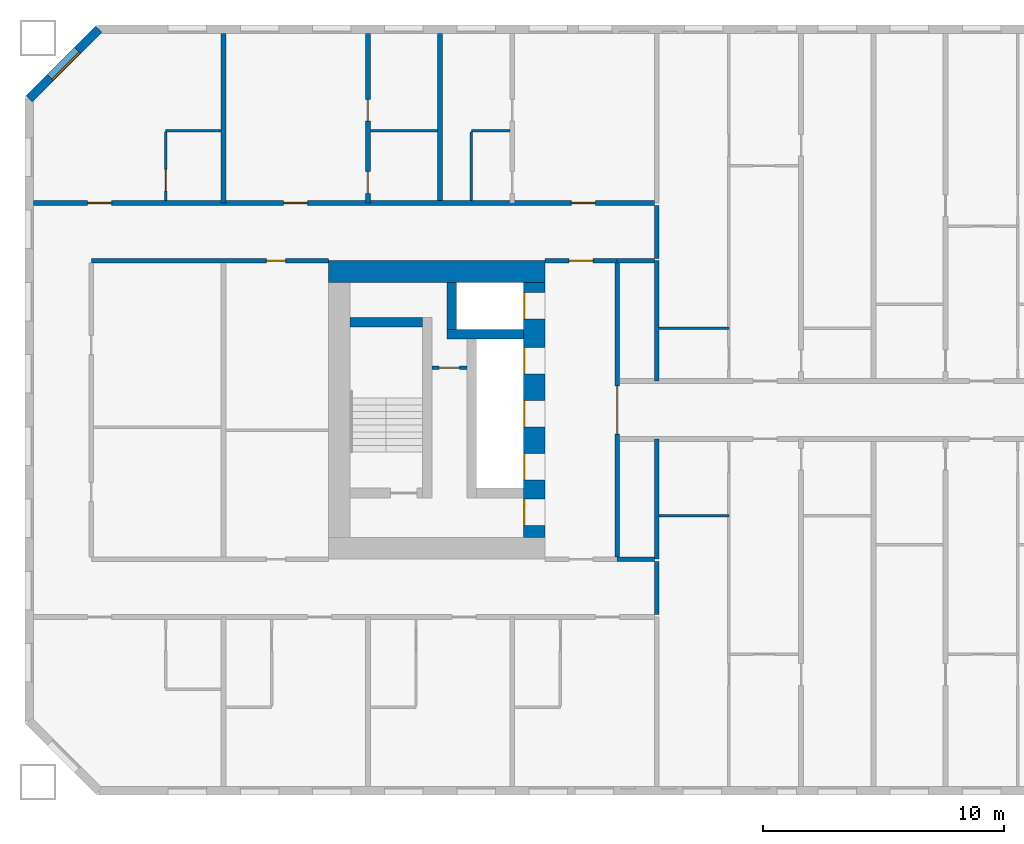
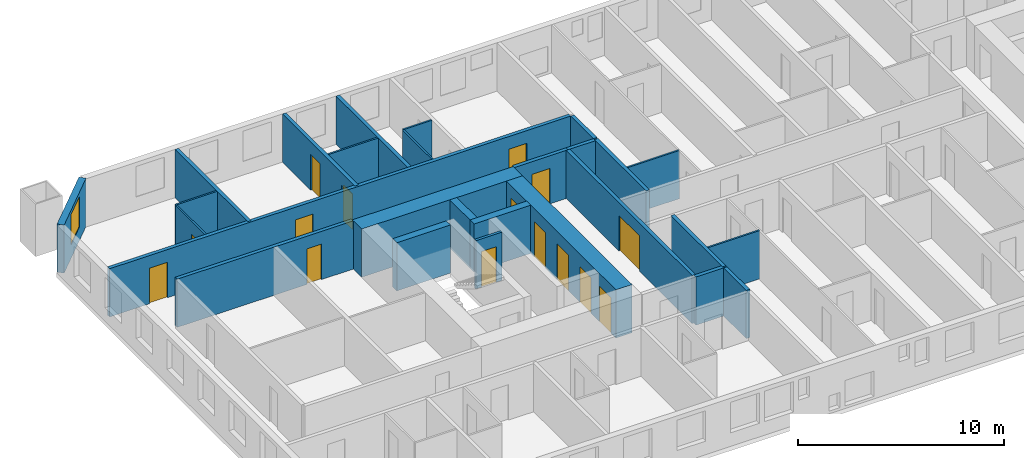
# One storey, part 4 of 16: 27 walls, 15 doors, 1 window, 16 openings.
"""IFC4 building model written with IfcOpenShell, lengths in metres."""

from ifc_helpers import new_model, si_unit, direction, frame, frame_2d, origin, place, context, subcontext, project, spatial, rectangle, extrude, material, layer, layer_set, type_object, element, fill, save


model = new_model("IFC4")

# Units and contexts
model_context = context("Model", 3, precision=1e-05, world=origin(), true_north=direction((0.0, 1.0)))
body_context = subcontext(model_context, "Body", "Model", "MODEL_VIEW")
ifc_project = project(units=[si_unit("LENGTHUNIT", "METRE"), si_unit("AREAUNIT", "SQUARE_METRE"), si_unit("VOLUMEUNIT", "CUBIC_METRE"), si_unit("PLANEANGLEUNIT", "RADIAN"), si_unit("MASSUNIT", "GRAM", prefix="KILO")], contexts=[model_context])

# Site, building, storey
site_placement = place(None, origin())
site = spatial("IfcSite", under=ifc_project, at=site_placement, CompositionType="ELEMENT")
building_placement = place(site_placement, origin())
building = spatial("IfcBuilding", under=site, at=building_placement, Name="Tuart Gate Housing", CompositionType="ELEMENT")
storey_placement = place(building_placement, frame((0.0, 0.0, 35.0)))
storey = spatial("IfcBuildingStorey", under=building, at=storey_placement, Name="L09", CompositionType="ELEMENT", Elevation=35.0)

# Wall, opening, window
ifc_material_1 = material(Name="Brick", Category="masonry")
ifc_layer_1 = layer(ifc_material_1, 0.360107421875)
ifc_layer_set_1 = layer_set([ifc_layer_1], Name="Brick pier and spandrel wall 360")
wall_type_1 = type_object("IfcWallType", Name="Brick pier and spandrel wall 360", PredefinedType="STANDARD", material=ifc_layer_set_1)
wall_1_placement = place(storey_placement, frame((22.82470703125, 85.820068359375, 0.0), z_axis=(0.0, 0.0, 1.0), x_axis=(-0.707106781187, -0.707106781187, 0.0)))
wall_1 = element("IfcWall", 1, at=wall_1_placement, inside=storey, type_object=wall_type_1, Name="External wall A-NW L09", PredefinedType="STANDARD", context=body_context, shape_type="SweptSolid", body=[
    extrude(rectangle(XDim=4.09375, YDim=0.360107421875, at=frame_2d((2.046875, 0.0))), origin(), (0.0, 0.0, 1.0), 2.85009765625),
])
opening_1_placement = place(wall_1_placement, frame((1.2470703125, 0.0, 0.800048828125)))
opening_1 = element("IfcOpeningElement", 2, at=opening_1_placement, cuts=wall_1, Name="Opening W1", PredefinedType="OPENING", context=body_context, shape_type="SweptSolid", body=[
    extrude(rectangle(XDim=1.60009765625, YDim=1.800048828125, at=frame_2d((0.800048828125, 0.89990234375))), frame((0.0, 0.18994140625, 0.0), z_axis=(0.0, -1.0, 0.0), x_axis=(1.0, 0.0, 0.0)), (0.0, 0.0, 1.0), 0.380126953125),
])
ifc_material_2 = material(Name="Aluminium frame with clear glass", Category="aluminium")
window_type = type_object("IfcWindowType", Name="Punched window 1600 x 1800", PartitioningType="SINGLE_PANEL", PredefinedType="WINDOW", material=ifc_material_2)
window_placement = place(opening_1_placement, origin())
window = element("IfcWindow", 3, at=window_placement, inside=storey, type_object=window_type, Name="Window W1", OverallHeight=1.800048828125, OverallWidth=1.60009765625, PartitioningType="SINGLE_PANEL", PredefinedType="WINDOW", context=body_context, shape_type="SweptSolid", body=[
    extrude(rectangle(XDim=1.60009765625, YDim=1.800048828125, at=frame_2d((0.800048828125, 0.89990234375))), frame((0.0, 0.150146484375, 0.0), z_axis=(0.0, -1.0, 0.0), x_axis=(1.0, 0.0, 0.0)), (0.0, 0.0, 1.0), 0.06005859375),
])
fill(opening_1, window)

# Wall, opening, door
ifc_material_3 = material(Name="Plasterboard partition")
ifc_layer_2 = layer(ifc_material_3, 0.14990234375)
ifc_layer_set_2 = layer_set([ifc_layer_2], Name="Core partition 150")
wall_type_2 = type_object("IfcWallType", Name="Core partition 150", PredefinedType="PARTITIONING", material=ifc_layer_set_2)
wall_2_placement = place(storey_placement, frame((38.110107421875, 71.75, 0.0), z_axis=(0.0, 0.0, 1.0), x_axis=(-1.0, 0.0, 0.0)))
wall_2 = element("IfcWall", 4, at=wall_2_placement, inside=storey, type_object=wall_type_2, Name="Core partition AK.3", PredefinedType="PARTITIONING", context=body_context, shape_type="SweptSolid", body=[
    extrude(rectangle(XDim=1.4501953125, YDim=0.14990234375, at=frame_2d((0.72509765625, 0.0))), origin(), (0.0, 0.0, 1.0), 2.85009765625),
])
opening_2_placement = place(wall_2_placement, frame((0.300048828125, 0.0, 0.0)))
opening_2 = element("IfcOpeningElement", 5, at=opening_2_placement, cuts=wall_2, Name="Opening D493", PredefinedType="OPENING", context=body_context, shape_type="SweptSolid", body=[
    extrude(rectangle(XDim=0.85009765625, YDim=2.10009765625, at=frame_2d((0.425048828125, 1.050048828125))), frame((0.0, 0.0849609375, 0.0), z_axis=(0.0, -1.0, 0.0), x_axis=(1.0, 0.0, 0.0)), (0.0, 0.0, 1.0), 0.169921875),
])
ifc_material_4 = material(Name="Steel fire door", Category="steel")
door_type_1 = type_object("IfcDoorType", Name="Riser door 850 x 2100 RH", OperationType="SINGLE_SWING_RIGHT", PredefinedType="DOOR", material=ifc_material_4)
door_1_placement = place(opening_2_placement, frame((0.85009765625, 0.0, 0.0), z_axis=(0.0, 0.0, 1.0), x_axis=(-1.0, 0.0, 0.0)))
door_1 = element("IfcDoor", 6, at=door_1_placement, inside=storey, type_object=door_type_1, Name="Service room door AK.E1", OperationType="SINGLE_SWING_RIGHT", OverallHeight=2.10009765625, OverallWidth=0.85009765625, PredefinedType="DOOR", context=body_context, shape_type="SweptSolid", body=[
    extrude(rectangle(XDim=0.85009765625, YDim=2.10009765625, at=frame_2d((0.425048828125, 1.050048828125))), frame((0.0, 0.025146484375, 0.0), z_axis=(0.0, -1.0, 0.0), x_axis=(1.0, 0.0, 0.0)), (0.0, 0.0, 1.0), 0.050048828125),
])
fill(opening_2, door_1)

# Walls
ifc_material_5 = material(Name="Concrete C60", Category="concrete")
ifc_layer_3 = layer(ifc_material_5, 0.39990234375)
ifc_layer_set_3 = layer_set([ifc_layer_3], Name="Core wall 400 C60")
wall_type_3 = type_object("IfcWallType", Name="Core wall 400 C60", PredefinedType="SHEAR", material=ifc_layer_set_3)
wall_3_placement = place(storey_placement, frame((36.260009765625, 73.64990234375, 0.0), z_axis=(0.0, 0.0, 1.0), x_axis=(-1.0, 0.0, 0.0)))
element("IfcWall", 7, at=wall_3_placement, inside=storey, type_object=wall_type_3, Name="Core wall AK.1", PredefinedType="SHEAR", context=body_context, shape_type="SweptSolid", body=[
    extrude(rectangle(XDim=3.0, YDim=0.39990234375, at=frame_2d((1.5, 0.0))), origin(), (0.0, 0.0, 1.0), 2.85009765625),
])
wall_4_placement = place(storey_placement, frame((40.4599609375, 73.14990234375, 0.0), z_axis=(0.0, 0.0, 1.0), x_axis=(-1.0, 0.0, 0.0)))
element("IfcWall", 8, at=wall_4_placement, inside=storey, type_object=wall_type_3, Name="Core wall AK.2", PredefinedType="SHEAR", context=body_context, shape_type="SweptSolid", body=[
    extrude(rectangle(XDim=3.169921875, YDim=0.39990234375, at=frame_2d((1.5849609375, 0.0))), origin(), (0.0, 0.0, 1.0), 2.85009765625),
])
wall_5_placement = place(storey_placement, frame((37.489990234375, 75.300048828125, 0.0), z_axis=(0.0, 0.0, 1.0), x_axis=(0.0, -1.0, 0.0)))
element("IfcWall", 9, at=wall_5_placement, inside=storey, type_object=wall_type_3, Name="Core wall AK.7", PredefinedType="SHEAR", context=body_context, shape_type="SweptSolid", body=[
    extrude(rectangle(XDim=1.949951171875, YDim=0.39990234375, at=frame_2d((0.97509765625, 0.0))), origin(), (0.0, 0.0, 1.0), 2.85009765625),
])

# Wall, openings, doors
ifc_material_6 = material(Name="Concrete C60", Category="concrete")
ifc_layer_4 = layer(ifc_material_6, 0.89990234375)
ifc_layer_set_4 = layer_set([ifc_layer_4], Name="Core wall 900 C60")
wall_type_4 = type_object("IfcWallType", Name="Core wall 900 C60", PredefinedType="SHEAR", material=ifc_layer_set_4)
wall_6_placement = place(storey_placement, frame((40.909912109375, 75.300048828125, 0.0), z_axis=(0.0, 0.0, 1.0), x_axis=(0.0, -1.0, 0.0)))
wall_6 = element("IfcWall", 10, at=wall_6_placement, inside=storey, type_object=wall_type_4, Name="Core wall AK front", PredefinedType="SHEAR", context=body_context, shape_type="SweptSolid", body=[
    extrude(rectangle(XDim=10.60009765625, YDim=0.89990234375, at=frame_2d((5.300048828125, 0.0))), origin(), (0.0, 0.0, 1.0), 2.85009765625),
])
opening_3_placement = place(wall_6_placement, frame((0.425048828125, 0.0, 0.0)))
opening_3 = element("IfcOpeningElement", 11, at=opening_3_placement, cuts=wall_6, Name="Opening LD-FA2", PredefinedType="OPENING", context=body_context, shape_type="SweptSolid", body=[
    extrude(rectangle(XDim=1.10009765625, YDim=2.10009765625, at=frame_2d((0.550048828125, 1.050048828125))), frame((0.0, 0.4599609375, 0.0), z_axis=(0.0, -1.0, 0.0), x_axis=(1.0, 0.0, 0.0)), (0.0, 0.0, 1.0), 0.919921875),
])
opening_4_placement = place(wall_6_placement, frame((2.699951171875, 0.0, 0.0)))
opening_4 = element("IfcOpeningElement", 12, at=opening_4_placement, cuts=wall_6, Name="Opening LD-LA4", PredefinedType="OPENING", context=body_context, shape_type="SweptSolid", body=[
    extrude(rectangle(XDim=1.10009765625, YDim=2.10009765625, at=frame_2d((0.550048828125, 1.050048828125))), frame((0.0, 0.4599609375, 0.0), z_axis=(0.0, -1.0, 0.0), x_axis=(1.0, 0.0, 0.0)), (0.0, 0.0, 1.0), 0.919921875),
])
opening_5_placement = place(wall_6_placement, frame((4.89990234375, 0.0, 0.0)))
opening_5 = element("IfcOpeningElement", 13, at=opening_5_placement, cuts=wall_6, Name="Opening LD-LA5", PredefinedType="OPENING", context=body_context, shape_type="SweptSolid", body=[
    extrude(rectangle(XDim=1.10009765625, YDim=2.10009765625, at=frame_2d((0.550048828125, 1.050048828125))), frame((0.0, 0.4599609375, 0.0), z_axis=(0.0, -1.0, 0.0), x_axis=(1.0, 0.0, 0.0)), (0.0, 0.0, 1.0), 0.919921875),
])
opening_6_placement = place(wall_6_placement, frame((7.10009765625, 0.0, 0.0)))
opening_6 = element("IfcOpeningElement", 14, at=opening_6_placement, cuts=wall_6, Name="Opening LD-LA6", PredefinedType="OPENING", context=body_context, shape_type="SweptSolid", body=[
    extrude(rectangle(XDim=1.10009765625, YDim=2.10009765625, at=frame_2d((0.550048828125, 1.050048828125))), frame((0.0, 0.4599609375, 0.0), z_axis=(0.0, -1.0, 0.0), x_axis=(1.0, 0.0, 0.0)), (0.0, 0.0, 1.0), 0.919921875),
])
opening_7_placement = place(wall_6_placement, frame((9.0, 0.0, 0.0)))
opening_7 = element("IfcOpeningElement", 15, at=opening_7_placement, cuts=wall_6, Name="Opening D498", PredefinedType="OPENING", context=body_context, shape_type="SweptSolid", body=[
    extrude(rectangle(XDim=1.10009765625, YDim=2.10009765625, at=frame_2d((0.550048828125, 1.050048828125))), frame((0.0, 0.4599609375, 0.0), z_axis=(0.0, -1.0, 0.0), x_axis=(1.0, 0.0, 0.0)), (0.0, 0.0, 1.0), 0.919921875),
])
ifc_material_7 = material(Name="Stainless steel", Category="steel")
door_type_2 = type_object("IfcDoorType", Name="Landing door 1100 x 2100", OperationType="DOUBLE_DOOR_SLIDING", PredefinedType="DOOR", material=ifc_material_7)
door_2_placement = place(opening_3_placement, origin())
door_2 = element("IfcDoor", 16, at=door_2_placement, inside=storey, type_object=door_type_2, Name="Lift landing door FA2", OperationType="DOUBLE_DOOR_SLIDING", OverallHeight=2.10009765625, OverallWidth=1.10009765625, PredefinedType="DOOR", context=body_context, shape_type="SweptSolid", body=[
    extrude(rectangle(XDim=1.10009765625, YDim=2.10009765625, at=frame_2d((0.550048828125, 1.050048828125))), frame((0.0, -0.384765625, 0.0), z_axis=(0.0, -1.0, 0.0), x_axis=(1.0, 0.0, 0.0)), (0.0, 0.0, 1.0), 0.050048828125),
])
fill(opening_3, door_2)
door_3_placement = place(opening_4_placement, origin())
door_3 = element("IfcDoor", 17, at=door_3_placement, inside=storey, type_object=door_type_2, Name="Lift landing door LA4", OperationType="DOUBLE_DOOR_SLIDING", OverallHeight=2.10009765625, OverallWidth=1.10009765625, PredefinedType="DOOR", context=body_context, shape_type="SweptSolid", body=[
    extrude(rectangle(XDim=1.10009765625, YDim=2.10009765625, at=frame_2d((0.550048828125, 1.050048828125))), frame((0.0, -0.384765625, 0.0), z_axis=(0.0, -1.0, 0.0), x_axis=(1.0, 0.0, 0.0)), (0.0, 0.0, 1.0), 0.050048828125),
])
fill(opening_4, door_3)
door_4_placement = place(opening_5_placement, origin())
door_4 = element("IfcDoor", 18, at=door_4_placement, inside=storey, type_object=door_type_2, Name="Lift landing door LA5", OperationType="DOUBLE_DOOR_SLIDING", OverallHeight=2.10009765625, OverallWidth=1.10009765625, PredefinedType="DOOR", context=body_context, shape_type="SweptSolid", body=[
    extrude(rectangle(XDim=1.10009765625, YDim=2.10009765625, at=frame_2d((0.550048828125, 1.050048828125))), frame((0.0, -0.384765625, 0.0), z_axis=(0.0, -1.0, 0.0), x_axis=(1.0, 0.0, 0.0)), (0.0, 0.0, 1.0), 0.050048828125),
])
fill(opening_5, door_4)
door_5_placement = place(opening_6_placement, origin())
door_5 = element("IfcDoor", 19, at=door_5_placement, inside=storey, type_object=door_type_2, Name="Lift landing door LA6", OperationType="DOUBLE_DOOR_SLIDING", OverallHeight=2.10009765625, OverallWidth=1.10009765625, PredefinedType="DOOR", context=body_context, shape_type="SweptSolid", body=[
    extrude(rectangle(XDim=1.10009765625, YDim=2.10009765625, at=frame_2d((0.550048828125, 1.050048828125))), frame((0.0, -0.384765625, 0.0), z_axis=(0.0, -1.0, 0.0), x_axis=(1.0, 0.0, 0.0)), (0.0, 0.0, 1.0), 0.050048828125),
])
fill(opening_6, door_5)
ifc_material_8 = material(Name="Steel fire door", Category="steel")
door_type_3 = type_object("IfcDoorType", Name="Lobby door 1100 x 2100 RH", OperationType="SINGLE_SWING_RIGHT", PredefinedType="DOOR", material=ifc_material_8)
door_6_placement = place(opening_7_placement, frame((1.10009765625, 0.0, 0.0), z_axis=(0.0, 0.0, 1.0), x_axis=(-1.0, 0.0, 0.0)))
door_6 = element("IfcDoor", 20, at=door_6_placement, inside=storey, type_object=door_type_3, Name="Lobby entry door AK.EN", OperationType="SINGLE_SWING_RIGHT", OverallHeight=2.10009765625, OverallWidth=1.10009765625, PredefinedType="DOOR", context=body_context, shape_type="SweptSolid", body=[
    extrude(rectangle(XDim=1.10009765625, YDim=2.10009765625, at=frame_2d((0.550048828125, 1.050048828125))), frame((0.0, 0.434814453125, 0.0), z_axis=(0.0, -1.0, 0.0), x_axis=(1.0, 0.0, 0.0)), (0.0, 0.0, 1.0), 0.050048828125),
])
fill(opening_7, door_6)

# Walls
wall_7_placement = place(storey_placement, frame((41.360107421875, 75.75, 0.0), z_axis=(0.0, 0.0, 1.0), x_axis=(-1.0, 0.0, 0.0)))
element("IfcWall", 21, at=wall_7_placement, inside=storey, type_object=wall_type_4, Name="Core wall AK south", PredefinedType="SHEAR", context=body_context, shape_type="SweptSolid", body=[
    extrude(rectangle(XDim=9.0, YDim=0.89990234375, at=frame_2d((4.5, 0.0))), origin(), (0.0, 0.0, 1.0), 2.85009765625),
])
ifc_material_9 = material(Name="Concrete masonry 15 MPa", Category="masonry")
ifc_layer_5 = layer(ifc_material_9, 0.199951171875)
ifc_layer_set_5 = layer_set([ifc_layer_5], Name="Corridor wall masonry 200")
wall_type_5 = type_object("IfcWallType", Name="Corridor wall masonry 200", PredefinedType="PARTITIONING", material=ifc_layer_set_5)
wall_8_placement = place(storey_placement, frame((44.360107421875, 63.800048828125, 0.0), z_axis=(0.0, 0.0, 1.0), x_axis=(1.0, 0.0, 0.0)))
element("IfcWall", 22, at=wall_8_placement, inside=storey, type_object=wall_type_5, Name="Corridor wall masonry 200", PredefinedType="PARTITIONING", context=body_context, shape_type="SweptSolid", body=[
    extrude(rectangle(XDim=1.539794921875, YDim=0.199951171875, at=frame_2d((0.77001953125, 0.0))), origin(), (0.0, 0.0, 1.0), 2.85009765625),
])

# Wall, opening, door
wall_9_placement = place(storey_placement, frame((22.510009765625, 76.199951171875, 0.0), z_axis=(0.0, 0.0, 1.0), x_axis=(1.0, 0.0, 0.0)))
wall_9 = element("IfcWall", 23, at=wall_9_placement, inside=storey, type_object=wall_type_5, Name="Corridor wall masonry 200", PredefinedType="PARTITIONING", context=body_context, shape_type="SweptSolid", body=[
    extrude(rectangle(XDim=9.85009765625, YDim=0.199951171875, at=frame_2d((4.925048828125, 0.0))), origin(), (0.0, 0.0, 1.0), 2.85009765625),
])
opening_8_placement = place(wall_9_placement, frame((7.27001953125, 0.0, 0.0)))
opening_8 = element("IfcOpeningElement", 24, at=opening_8_placement, cuts=wall_9, Name="Opening D489", PredefinedType="OPENING", context=body_context, shape_type="SweptSolid", body=[
    extrude(rectangle(XDim=0.800048828125, YDim=2.10009765625, at=frame_2d((0.39990234375, 1.050048828125))), frame((0.0, 0.10986328125, 0.0), z_axis=(0.0, -1.0, 0.0), x_axis=(1.0, 0.0, 0.0)), (0.0, 0.0, 1.0), 0.219970703125),
])
ifc_material_10 = material(Name="Timber door leaf in steel frame", Category="steel")
door_type_4 = type_object("IfcDoorType", Name="Store door 800 RH", OperationType="SINGLE_SWING_RIGHT", PredefinedType="DOOR", material=ifc_material_10)
door_7_placement = place(opening_8_placement, frame((0.800048828125, 0.0, 0.0), z_axis=(0.0, 0.0, 1.0), x_axis=(-1.0, 0.0, 0.0)))
door_7 = element("IfcDoor", 25, at=door_7_placement, inside=storey, type_object=door_type_4, Name="Store door", OperationType="SINGLE_SWING_RIGHT", OverallHeight=2.10009765625, OverallWidth=0.800048828125, PredefinedType="DOOR", context=body_context, shape_type="SweptSolid", body=[
    extrude(rectangle(XDim=0.800048828125, YDim=2.10009765625, at=frame_2d((0.400146484375, 1.050048828125))), frame((0.0, 0.025146484375, 0.0), z_axis=(0.0, -1.0, 0.0), x_axis=(1.0, 0.0, 0.0)), (0.0, 0.0, 1.0), 0.050048828125),
])
fill(opening_8, door_7)

# Wall
wall_10_placement = place(storey_placement, frame((44.360107421875, 76.199951171875, 0.0), z_axis=(0.0, 0.0, 1.0), x_axis=(1.0, 0.0, 0.0)))
element("IfcWall", 26, at=wall_10_placement, inside=storey, type_object=wall_type_5, Name="Corridor wall masonry 200", PredefinedType="PARTITIONING", context=body_context, shape_type="SweptSolid", body=[
    extrude(rectangle(XDim=1.539794921875, YDim=0.199951171875, at=frame_2d((0.77001953125, 0.0))), origin(), (0.0, 0.0, 1.0), 2.85009765625),
])

# Wall, openings, doors
wall_11_placement = place(storey_placement, frame((20.110107421875, 78.60009765625, 0.0), z_axis=(0.0, 0.0, 1.0), x_axis=(1.0, 0.0, 0.0)))
wall_11 = element("IfcWall", 27, at=wall_11_placement, inside=storey, type_object=wall_type_5, Name="Corridor wall masonry 200", PredefinedType="PARTITIONING", context=body_context, shape_type="SweptSolid", body=[
    extrude(rectangle(XDim=25.789794921875, YDim=0.199951171875, at=frame_2d((12.89501953125, 0.0))), origin(), (0.0, 0.0, 1.0), 2.85009765625),
])
opening_9_placement = place(wall_11_placement, frame((22.340087890625, 0.0, 0.0)))
opening_9 = element("IfcOpeningElement", 28, at=opening_9_placement, cuts=wall_11, Name="Opening D477", PredefinedType="OPENING", context=body_context, shape_type="SweptSolid", body=[
    extrude(rectangle(XDim=1.0, YDim=2.10009765625, at=frame_2d((0.5, 1.050048828125))), frame((0.0, 0.10986328125, 0.0), z_axis=(0.0, -1.0, 0.0), x_axis=(1.0, 0.0, 0.0)), (0.0, 0.0, 1.0), 0.219970703125),
])
opening_10_placement = place(wall_11_placement, frame((10.389892578125, 0.0, 0.0)))
opening_10 = element("IfcOpeningElement", 29, at=opening_10_placement, cuts=wall_11, Name="Opening D478", PredefinedType="OPENING", context=body_context, shape_type="SweptSolid", body=[
    extrude(rectangle(XDim=1.0, YDim=2.10009765625, at=frame_2d((0.5, 1.050048828125))), frame((0.0, 0.10986328125, 0.0), z_axis=(0.0, -1.0, 0.0), x_axis=(1.0, 0.0, 0.0)), (0.0, 0.0, 1.0), 0.219970703125),
])
opening_11_placement = place(wall_11_placement, frame((2.2451171875, 0.0, 0.0)))
opening_11 = element("IfcOpeningElement", 30, at=opening_11_placement, cuts=wall_11, Name="Opening D479", PredefinedType="OPENING", context=body_context, shape_type="SweptSolid", body=[
    extrude(rectangle(XDim=1.0, YDim=2.10009765625, at=frame_2d((0.5, 1.050048828125))), frame((0.0, 0.10986328125, 0.0), z_axis=(0.0, -1.0, 0.0), x_axis=(1.0, 0.0, 0.0)), (0.0, 0.0, 1.0), 0.219970703125),
])
ifc_material_11 = material(Name="Timber door leaf in steel frame", Category="steel")
door_type_5 = type_object("IfcDoorType", Name="Flat entrance door 1000", OperationType="SINGLE_SWING_LEFT", PredefinedType="DOOR", material=ifc_material_11)
door_8_placement = place(opening_9_placement, origin())
door_8 = element("IfcDoor", 31, at=door_8_placement, inside=storey, type_object=door_type_5, Name="Flat entrance door", OperationType="SINGLE_SWING_LEFT", OverallHeight=2.10009765625, OverallWidth=1.0, PredefinedType="DOOR", context=body_context, shape_type="SweptSolid", body=[
    extrude(rectangle(XDim=1.0, YDim=2.10009765625, at=frame_2d((0.5, 1.050048828125))), frame((0.0, 0.02490234375, 0.0), z_axis=(0.0, -1.0, 0.0), x_axis=(1.0, 0.0, 0.0)), (0.0, 0.0, 1.0), 0.050048828125),
])
fill(opening_9, door_8)
door_9_placement = place(opening_10_placement, origin())
door_9 = element("IfcDoor", 32, at=door_9_placement, inside=storey, type_object=door_type_5, Name="Flat entrance door", OperationType="SINGLE_SWING_LEFT", OverallHeight=2.10009765625, OverallWidth=1.0, PredefinedType="DOOR", context=body_context, shape_type="SweptSolid", body=[
    extrude(rectangle(XDim=1.0, YDim=2.10009765625, at=frame_2d((0.5, 1.050048828125))), frame((0.0, 0.02490234375, 0.0), z_axis=(0.0, -1.0, 0.0), x_axis=(1.0, 0.0, 0.0)), (0.0, 0.0, 1.0), 0.050048828125),
])
fill(opening_10, door_9)
door_10_placement = place(opening_11_placement, origin())
door_10 = element("IfcDoor", 33, at=door_10_placement, inside=storey, type_object=door_type_5, Name="Flat entrance door", OperationType="SINGLE_SWING_LEFT", OverallHeight=2.10009765625, OverallWidth=1.0, PredefinedType="DOOR", context=body_context, shape_type="SweptSolid", body=[
    extrude(rectangle(XDim=1.0, YDim=2.10009765625, at=frame_2d((0.5, 1.050048828125))), frame((0.0, 0.02490234375, 0.0), z_axis=(0.0, -1.0, 0.0), x_axis=(1.0, 0.0, 0.0)), (0.0, 0.0, 1.0), 0.050048828125),
])
fill(opening_11, door_10)

# Walls
for number, where, z_axis, x_axis, name in (
    (34, (46.0, 61.5, 0.0), (0.0, 0.0, 1.0), (0.0, 1.0, 0.0), "Corridor wall masonry 200"),
    (35, (46.0, 76.300048828125, 0.0), (0.0, 0.0, 1.0), (0.0, 1.0, 0.0), "Corridor wall masonry 200"),
):
    element("IfcWall", number, at=place(storey_placement, frame(where, z_axis=z_axis, x_axis=x_axis)), inside=storey, type_object=wall_type_5, Name=name, PredefinedType="PARTITIONING", context=body_context, shape_type="SweptSolid", body=[
        extrude(rectangle(XDim=2.199951171875, YDim=0.199951171875, at=frame_2d((1.10009765625, 0.0))), origin(), (0.0, 0.0, 1.0), 2.85009765625),
    ])

# Wall, opening, door
ifc_material_12 = material(Name="Concrete masonry 15 MPa", Category="masonry")
ifc_layer_6 = layer(ifc_material_12, 0.199951171875)
ifc_layer_set_6 = layer_set([ifc_layer_6], Name="Enclosure wall masonry 200")
wall_type_6 = type_object("IfcWallType", Name="Enclosure wall masonry 200", PredefinedType="PARTITIONING", material=ifc_layer_set_6)
wall_12_placement = place(storey_placement, frame((41.360107421875, 76.199951171875, 0.0), z_axis=(0.0, 0.0, 1.0), x_axis=(1.0, 0.0, 0.0)))
wall_12 = element("IfcWall", 36, at=wall_12_placement, inside=storey, type_object=wall_type_6, Name="Enclosure wall masonry 200", PredefinedType="PARTITIONING", context=body_context, shape_type="SweptSolid", body=[
    extrude(rectangle(XDim=3.0, YDim=0.199951171875, at=frame_2d((1.5, 0.0))), origin(), (0.0, 0.0, 1.0), 2.85009765625),
])
opening_12_placement = place(wall_12_placement, frame((1.0, 0.0, 0.0)))
opening_12 = element("IfcOpeningElement", 37, at=opening_12_placement, cuts=wall_12, Name="Opening D490", PredefinedType="OPENING", context=body_context, shape_type="SweptSolid", body=[
    extrude(rectangle(XDim=1.0, YDim=2.10009765625, at=frame_2d((0.5, 1.050048828125))), frame((0.0, 0.10986328125, 0.0), z_axis=(0.0, -1.0, 0.0), x_axis=(1.0, 0.0, 0.0)), (0.0, 0.0, 1.0), 0.219970703125),
])
ifc_material_13 = material(Name="Timber door leaf in steel frame", Category="steel")
door_type_6 = type_object("IfcDoorType", Name="Fire door 1000 RH", OperationType="SINGLE_SWING_RIGHT", PredefinedType="DOOR", material=ifc_material_13)
door_11_placement = place(opening_12_placement, origin())
door_11 = element("IfcDoor", 38, at=door_11_placement, inside=storey, type_object=door_type_6, Name="Fire door", OperationType="SINGLE_SWING_RIGHT", OverallHeight=2.10009765625, OverallWidth=1.0, PredefinedType="DOOR", context=body_context, shape_type="SweptSolid", body=[
    extrude(rectangle(XDim=1.0, YDim=2.10009765625, at=frame_2d((0.5, 1.050048828125))), frame((0.0, 0.02490234375, 0.0), z_axis=(0.0, -1.0, 0.0), x_axis=(1.0, 0.0, 0.0)), (0.0, 0.0, 1.0), 0.050048828125),
])
fill(opening_12, door_11)

ifc_material_14 = material(Name="Plasterboard partition")
ifc_layer_7 = layer(ifc_material_14, 0.199951171875)
ifc_layer_set_7 = layer_set([ifc_layer_7], Name="Lobby wall 200")
wall_type_7 = type_object("IfcWallType", Name="Lobby wall 200", PredefinedType="PARTITIONING", material=ifc_layer_set_7)
wall_13_placement = place(storey_placement, frame((44.360107421875, 63.89990234375, 0.0), z_axis=(0.0, 0.0, 1.0), x_axis=(0.0, 1.0, 0.0)))
wall_13 = element("IfcWall", 39, at=wall_13_placement, inside=storey, type_object=wall_type_7, Name="Lift lobby wall AK", PredefinedType="PARTITIONING", context=body_context, shape_type="SweptSolid", body=[
    extrude(rectangle(XDim=12.2001953125, YDim=0.199951171875, at=frame_2d((6.10009765625, 0.0))), origin(), (0.0, 0.0, 1.0), 2.85009765625),
])
opening_13_placement = place(wall_13_placement, frame((5.10009765625, 0.0, 0.0)))
opening_13 = element("IfcOpeningElement", 40, at=opening_13_placement, cuts=wall_13, Name="Opening D499", PredefinedType="OPENING", context=body_context, shape_type="SweptSolid", body=[
    extrude(rectangle(XDim=2.0, YDim=2.10009765625, at=frame_2d((1.0, 1.050048828125))), frame((0.0, 0.10986328125, 0.0), z_axis=(0.0, -1.0, 0.0), x_axis=(1.0, 0.0, 0.0)), (0.0, 0.0, 1.0), 0.219970703125),
])
ifc_material_15 = material(Name="Steel fire door", Category="steel")
door_type_7 = type_object("IfcDoorType", Name="Smoke door 2000 x 2100", OperationType="DOUBLE_DOOR_SINGLE_SWING", PredefinedType="DOOR", material=ifc_material_15)
door_12_placement = place(opening_13_placement, origin())
door_12 = element("IfcDoor", 41, at=door_12_placement, inside=storey, type_object=door_type_7, Name="Lift lobby smoke door AK", OperationType="DOUBLE_DOOR_SINGLE_SWING", OverallHeight=2.10009765625, OverallWidth=2.0, PredefinedType="DOOR", context=body_context, shape_type="SweptSolid", body=[
    extrude(rectangle(XDim=2.0, YDim=2.10009765625, at=frame_2d((1.0, 1.050048828125))), frame((0.0, 0.02490234375, 0.0), z_axis=(0.0, -1.0, 0.0), x_axis=(1.0, 0.0, 0.0)), (0.0, 0.0, 1.0), 0.050048828125),
])
fill(opening_13, door_12)

# Walls
ifc_material_16 = material(Name="Gypsum board on steel studs", Category="steel")
ifc_layer_8 = layer(ifc_material_16, 0.10009765625)
ifc_layer_set_8 = layer_set([ifc_layer_8], Name="Partition 100")
wall_type_8 = type_object("IfcWallType", Name="Partition 100", PredefinedType="PARTITIONING", material=ifc_layer_set_8)
for number, where, z_axis, x_axis, name in (
    (42, (46.10009765625, 65.60009765625, 0.0), (0.0, 0.0, 1.0), (1.0, 0.0, 0.0), "Partition 100"),
    (43, (46.10009765625, 73.39990234375, 0.0), (0.0, 0.0, 1.0), (1.0, 0.0, 0.0), "Partition 100"),
):
    element("IfcWall", number, at=place(storey_placement, frame(where, z_axis=z_axis, x_axis=x_axis)), inside=storey, type_object=wall_type_8, Name=name, PredefinedType="PARTITIONING", context=body_context, shape_type="SweptSolid", body=[
        extrude(rectangle(XDim=2.89990234375, YDim=0.10009765625, at=frame_2d((1.449951171875, 0.0))), origin(), (0.0, 0.0, 1.0), 2.85009765625),
    ])
wall_14_placement = place(storey_placement, frame((25.60009765625, 81.60009765625, 0.0), z_axis=(0.0, 0.0, 1.0), x_axis=(1.0, 0.0, 0.0)))
element("IfcWall", 44, at=wall_14_placement, inside=storey, type_object=wall_type_8, Name="Partition 100", PredefinedType="PARTITIONING", context=body_context, shape_type="SweptSolid", body=[
    extrude(rectangle(XDim=2.2998046875, YDim=0.10009765625, at=frame_2d((1.14990234375, 0.0))), origin(), (0.0, 0.0, 1.0), 2.85009765625),
])
wall_15_placement = place(storey_placement, frame((34.10009765625, 81.60009765625, 0.0), z_axis=(0.0, 0.0, 1.0), x_axis=(1.0, 0.0, 0.0)))
element("IfcWall", 45, at=wall_15_placement, inside=storey, type_object=wall_type_8, Name="Partition 100", PredefinedType="PARTITIONING", context=body_context, shape_type="SweptSolid", body=[
    extrude(rectangle(XDim=2.7998046875, YDim=0.10009765625, at=frame_2d((1.39990234375, 0.0))), origin(), (0.0, 0.0, 1.0), 2.85009765625),
])
wall_16_placement = place(storey_placement, frame((38.300048828125, 81.60009765625, 0.0), z_axis=(0.0, 0.0, 1.0), x_axis=(1.0, 0.0, 0.0)))
element("IfcWall", 46, at=wall_16_placement, inside=storey, type_object=wall_type_8, Name="Partition 100", PredefinedType="PARTITIONING", context=body_context, shape_type="SweptSolid", body=[
    extrude(rectangle(XDim=1.599853515625, YDim=0.10009765625, at=frame_2d((0.7998046875, 0.0))), origin(), (0.0, 0.0, 1.0), 2.85009765625),
])

# Wall, opening, door
wall_17_placement = place(storey_placement, frame((25.60009765625, 78.699951171875, 0.0), z_axis=(0.0, 0.0, 1.0), x_axis=(0.0, 1.0, 0.0)))
wall_17 = element("IfcWall", 47, at=wall_17_placement, inside=storey, type_object=wall_type_8, Name="Partition 100", PredefinedType="PARTITIONING", context=body_context, shape_type="SweptSolid", body=[
    extrude(rectangle(XDim=2.85009765625, YDim=0.10009765625, at=frame_2d((1.425048828125, 0.0))), origin(), (0.0, 0.0, 1.0), 2.85009765625),
])
opening_14_placement = place(wall_17_placement, frame((0.39990234375, 0.0, 0.0)))
opening_14 = element("IfcOpeningElement", 48, at=opening_14_placement, cuts=wall_17, Name="Opening D474", PredefinedType="OPENING", context=body_context, shape_type="SweptSolid", body=[
    extrude(rectangle(XDim=0.89990234375, YDim=2.10009765625, at=frame_2d((0.449951171875, 1.050048828125))), frame((0.0, 0.06005859375, 0.0), z_axis=(0.0, -1.0, 0.0), x_axis=(1.0, 0.0, 0.0)), (0.0, 0.0, 1.0), 0.1201171875),
])
ifc_material_17 = material(Name="Timber door leaf in steel frame", Category="steel")
door_type_8 = type_object("IfcDoorType", Name="Bathroom door 900 RH", OperationType="SINGLE_SWING_RIGHT", PredefinedType="DOOR", material=ifc_material_17)
door_13_placement = place(opening_14_placement, frame((0.89990234375, 0.0, 0.0), z_axis=(0.0, 0.0, 1.0), x_axis=(-1.0, 0.0, 0.0)))
door_13 = element("IfcDoor", 49, at=door_13_placement, inside=storey, type_object=door_type_8, Name="Bathroom door", OperationType="SINGLE_SWING_RIGHT", OverallHeight=2.10009765625, OverallWidth=0.89990234375, PredefinedType="DOOR", context=body_context, shape_type="SweptSolid", body=[
    extrude(rectangle(XDim=0.89990234375, YDim=2.10009765625, at=frame_2d((0.449951171875, 1.050048828125))), frame((0.0, 0.025146484375, 0.0), z_axis=(0.0, -1.0, 0.0), x_axis=(1.0, 0.0, 0.0)), (0.0, 0.0, 1.0), 0.050048828125),
])
fill(opening_14, door_13)

# Walls
wall_18_placement = place(storey_placement, frame((38.300048828125, 78.699951171875, 0.0), z_axis=(0.0, 0.0, 1.0), x_axis=(0.0, 1.0, 0.0)))
element("IfcWall", 50, at=wall_18_placement, inside=storey, type_object=wall_type_8, Name="Partition 100", PredefinedType="PARTITIONING", context=body_context, shape_type="SweptSolid", body=[
    extrude(rectangle(XDim=2.85009765625, YDim=0.10009765625, at=frame_2d((1.425048828125, 0.0))), origin(), (0.0, 0.0, 1.0), 2.85009765625),
])
ifc_material_18 = material(Name="Concrete C40", Category="concrete")
ifc_layer_9 = layer(ifc_material_18, 0.199951171875)
ifc_layer_set_9 = layer_set([ifc_layer_9], Name="Party wall concrete C40 200")
wall_type_9 = type_object("IfcWallType", Name="Party wall concrete C40 200", PredefinedType="SOLIDWALL", material=ifc_layer_set_9)
wall_19_placement = place(storey_placement, frame((28.0, 78.60009765625, 0.0), z_axis=(0.0, 0.0, 1.0), x_axis=(0.0, 1.0, 0.0)))
element("IfcWall", 51, at=wall_19_placement, inside=storey, type_object=wall_type_9, Name="Party wall concrete C40 200", PredefinedType="SOLIDWALL", context=body_context, shape_type="SweptSolid", body=[
    extrude(rectangle(XDim=7.039794921875, YDim=0.199951171875, at=frame_2d((3.52001953125, 0.0))), origin(), (0.0, 0.0, 1.0), 2.85009765625),
])

# Wall, openings, doors
wall_20_placement = place(storey_placement, frame((34.0, 78.60009765625, 0.0), z_axis=(0.0, 0.0, 1.0), x_axis=(0.0, 1.0, 0.0)))
wall_20 = element("IfcWall", 52, at=wall_20_placement, inside=storey, type_object=wall_type_9, Name="Party wall concrete C40 200", PredefinedType="SOLIDWALL", context=body_context, shape_type="SweptSolid", body=[
    extrude(rectangle(XDim=7.039794921875, YDim=0.199951171875, at=frame_2d((3.52001953125, 0.0))), origin(), (0.0, 0.0, 1.0), 2.85009765625),
])
opening_15_placement = place(wall_20_placement, frame((3.39990234375, 0.0, 0.0)))
opening_15 = element("IfcOpeningElement", 53, at=opening_15_placement, cuts=wall_20, Name="Opening D468", PredefinedType="OPENING", context=body_context, shape_type="SweptSolid", body=[
    extrude(rectangle(XDim=0.89990234375, YDim=2.10009765625, at=frame_2d((0.449951171875, 1.050048828125))), frame((0.0, 0.10986328125, 0.0), z_axis=(0.0, -1.0, 0.0), x_axis=(1.0, 0.0, 0.0)), (0.0, 0.0, 1.0), 0.219970703125),
])
opening_16_placement = place(wall_20_placement, frame((0.39990234375, 0.0, 0.0)))
opening_16 = element("IfcOpeningElement", 54, at=opening_16_placement, cuts=wall_20, Name="Opening D467", PredefinedType="OPENING", context=body_context, shape_type="SweptSolid", body=[
    extrude(rectangle(XDim=0.89990234375, YDim=2.10009765625, at=frame_2d((0.449951171875, 1.050048828125))), frame((0.0, 0.10986328125, 0.0), z_axis=(0.0, -1.0, 0.0), x_axis=(1.0, 0.0, 0.0)), (0.0, 0.0, 1.0), 0.219970703125),
])
door_14_placement = place(opening_16_placement, frame((0.89990234375, 0.0, 0.0), z_axis=(0.0, 0.0, 1.0), x_axis=(-1.0, 0.0, 0.0)))
door_14 = element("IfcDoor", 55, at=door_14_placement, inside=storey, type_object=door_type_8, Name="Bathroom door", OperationType="SINGLE_SWING_RIGHT", OverallHeight=2.10009765625, OverallWidth=0.89990234375, PredefinedType="DOOR", context=body_context, shape_type="SweptSolid", body=[
    extrude(rectangle(XDim=0.89990234375, YDim=2.10009765625, at=frame_2d((0.449951171875, 1.050048828125))), frame((0.0, 0.025146484375, 0.0), z_axis=(0.0, -1.0, 0.0), x_axis=(1.0, 0.0, 0.0)), (0.0, 0.0, 1.0), 0.050048828125),
])
fill(opening_16, door_14)
ifc_material_19 = material(Name="Timber door leaf in steel frame", Category="steel")
door_type_9 = type_object("IfcDoorType", Name="Internal door 900 RH", OperationType="SINGLE_SWING_RIGHT", PredefinedType="DOOR", material=ifc_material_19)
door_15_placement = place(opening_15_placement, frame((0.89990234375, 0.0, 0.0), z_axis=(0.0, 0.0, 1.0), x_axis=(-1.0, 0.0, 0.0)))
door_15 = element("IfcDoor", 56, at=door_15_placement, inside=storey, type_object=door_type_9, Name="Internal door", OperationType="SINGLE_SWING_RIGHT", OverallHeight=2.10009765625, OverallWidth=0.89990234375, PredefinedType="DOOR", context=body_context, shape_type="SweptSolid", body=[
    extrude(rectangle(XDim=0.89990234375, YDim=2.10009765625, at=frame_2d((0.449951171875, 1.050048828125))), frame((0.0, 0.025146484375, 0.0), z_axis=(0.0, -1.0, 0.0), x_axis=(1.0, 0.0, 0.0)), (0.0, 0.0, 1.0), 0.050048828125),
])
fill(opening_15, door_15)

# Walls
for number, where, z_axis, x_axis, name in (
    (57, (46.0, 63.800048828125, 0.0), (0.0, 0.0, 1.0), (0.0, 1.0, 0.0), "Party wall concrete C40 200"),
    (58, (46.0, 71.199951171875, 0.0), (0.0, 0.0, 1.0), (0.0, 1.0, 0.0), "Party wall concrete C40 200"),
):
    element("IfcWall", number, at=place(storey_placement, frame(where, z_axis=z_axis, x_axis=x_axis)), inside=storey, type_object=wall_type_9, Name=name, PredefinedType="SOLIDWALL", context=body_context, shape_type="SweptSolid", body=[
        extrude(rectangle(XDim=5.0, YDim=0.199951171875, at=frame_2d((2.5, 0.0))), origin(), (0.0, 0.0, 1.0), 2.85009765625),
    ])
ifc_material_20 = material(Name="Concrete masonry 15 MPa", Category="masonry")
ifc_layer_10 = layer(ifc_material_20, 0.199951171875)
ifc_layer_set_10 = layer_set([ifc_layer_10], Name="Party wall masonry 200")
wall_type_10 = type_object("IfcWallType", Name="Party wall masonry 200", PredefinedType="PARTITIONING", material=ifc_layer_set_10)
wall_21_placement = place(storey_placement, frame((37.0, 78.699951171875, 0.0), z_axis=(0.0, 0.0, 1.0), x_axis=(0.0, 1.0, 0.0)))
element("IfcWall", 59, at=wall_21_placement, inside=storey, type_object=wall_type_10, Name="Party wall masonry 200", PredefinedType="PARTITIONING", context=body_context, shape_type="SweptSolid", body=[
    extrude(rectangle(XDim=6.93994140625, YDim=0.199951171875, at=frame_2d((3.469970703125, 0.0))), origin(), (0.0, 0.0, 1.0), 2.85009765625),
])

save(model, "model.ifc")
